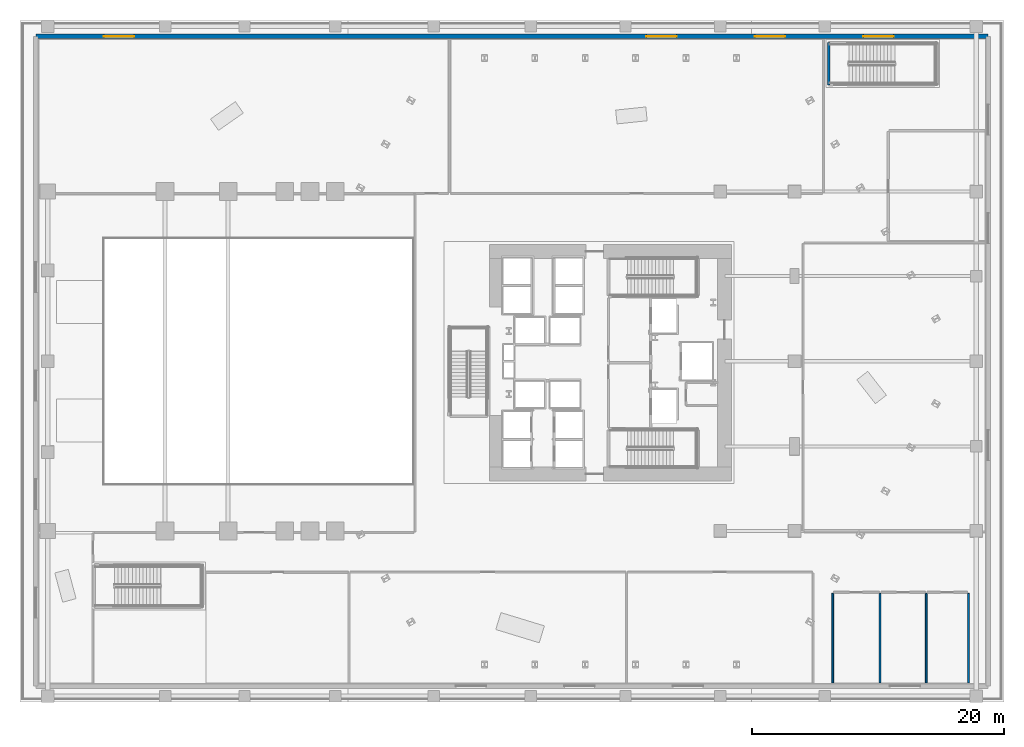
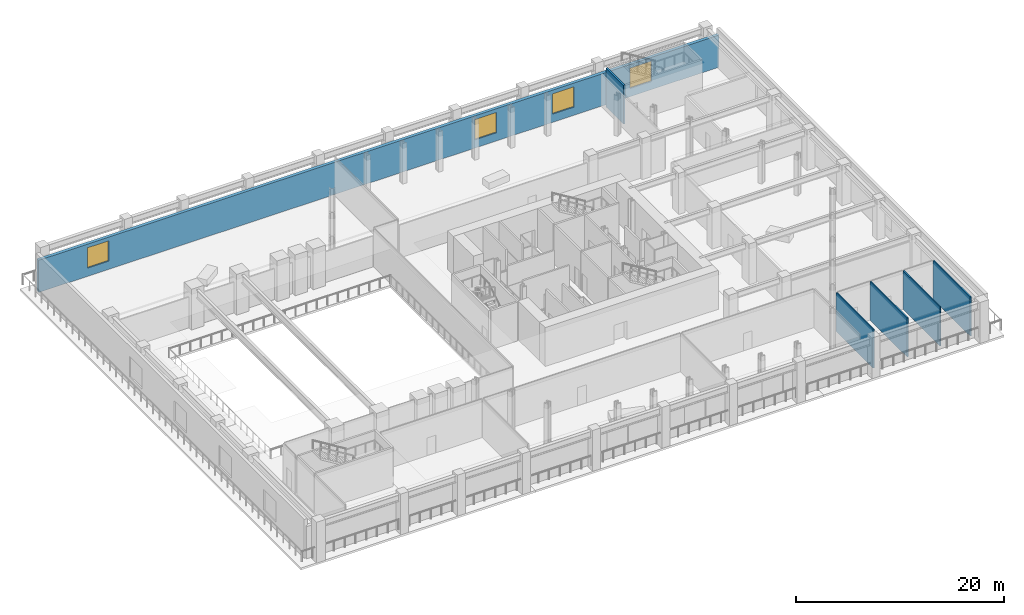
# One storey, part 6 of 19: 6 walls, 4 windows, 4 openings.
"""IFC4 building model written with IfcOpenShell, lengths in metres."""

import ifcopenshell
import ifcopenshell.guid

model = None  # the IFC model being written
_history = None  # IfcOwnerHistory: only IFC2X3 demands one
_inside = {}  # id of a spatial element -> (the spatial element, [elements in it])
_under = {}  # id of a project, library or spatial element -> (it, [spatial elements below it])
_declared = {}  # id of a project -> (the project, [libraries it declares])
_typed = {}  # id of a type object -> (the type object, [elements of that type])
_made_of = {}  # id of a material, layer set ... -> (it, [elements and type objects made of it])


def new_model(schema):
    """Start an empty IFC model of exactly this schema.

    Asked for "IFC4X3", IfcOpenShell would pick the latest addendum, in which some entities
    have other attributes; the version numbers below select the first issue.
    IFC2X3 requires an IfcOwnerHistory on every rooted entity: one is made here for all.
    """
    global model, _history
    if schema == "IFC4X3":
        model = ifcopenshell.file(schema_version=(4, 3, 0, 0))
    else:
        model = ifcopenshell.file(schema=schema)
    _inside.clear()
    _under.clear()
    _declared.clear()
    _typed.clear()
    _made_of.clear()
    _history = None
    if model.schema == "IFC2X3":
        org = make("IfcOrganization", Name="unknown")
        user = make(
            "IfcPersonAndOrganization",
            ThePerson=make("IfcPerson", FamilyName="unknown"),
            TheOrganization=org,
        )
        app = make(
            "IfcApplication",
            ApplicationDeveloper=org,
            Version="unknown",
            ApplicationFullName="unknown",
            ApplicationIdentifier="unknown",
        )
        _history = make(
            "IfcOwnerHistory",
            OwningUser=user,
            OwningApplication=app,
            ChangeAction="ADDED",
            CreationDate=0,
        )
    return model


def make(cls, **values):
    """One entity of the class cls with the attributes given. An attribute that is None is left unset."""
    return model.create_entity(
        cls, **{name: value for name, value in values.items() if value is not None}
    )


def rooted(cls, **values):
    """An entity with a GlobalId (a new one), such as an element, a storey or a relation."""
    return make(cls, GlobalId=ifcopenshell.guid.new(), OwnerHistory=_history, **values)


def si_unit(unit_type, name, prefix=None):
    """IfcSIUnit, for example si_unit("LENGTHUNIT", "METRE", prefix="MILLI")."""
    return make("IfcSIUnit", UnitType=unit_type, Prefix=prefix, Name=name)


def assignment(units):
    """IfcUnitAssignment: the units of a project."""
    return None if units is None else make("IfcUnitAssignment", Units=units)


def point(xyz):
    """IfcCartesianPoint."""
    return None if xyz is None else make("IfcCartesianPoint", Coordinates=xyz)


def direction(xyz):
    """IfcDirection."""
    return None if xyz is None else make("IfcDirection", DirectionRatios=xyz)


def frame(location, z_axis=None, x_axis=None):
    """IfcAxis2Placement3D, a coordinate frame: its origin and axes. An axis left out is left unset."""
    return make(
        "IfcAxis2Placement3D",
        Location=point(location),
        Axis=direction(z_axis),
        RefDirection=direction(x_axis),
    )


def frame_2d(location, x_axis=None):
    """IfcAxis2Placement2D, a coordinate frame in the plane: its origin and x axis."""
    return make(
        "IfcAxis2Placement2D", Location=point(location), RefDirection=direction(x_axis)
    )


def origin():
    """The frame at (0, 0, 0) with its axes left unset."""
    return frame((0.0, 0.0, 0.0))


def place(relative_to, where):
    """IfcLocalPlacement: puts the frame where relative to a parent placement (None: the world)."""
    return make(
        "IfcLocalPlacement", PlacementRelTo=relative_to, RelativePlacement=where
    )


def context(
    kind, dimensions, precision=None, world=None, true_north=None, identifier=None
):
    """IfcGeometricRepresentationContext, for example the 3D "Model" context."""
    return make(
        "IfcGeometricRepresentationContext",
        ContextIdentifier=identifier,
        ContextType=kind,
        CoordinateSpaceDimension=dimensions,
        Precision=precision,
        WorldCoordinateSystem=world,
        TrueNorth=true_north,
    )


def subcontext(parent, identifier, kind, view, scale=None):
    """IfcGeometricRepresentationSubContext, for example "Body" below "Model"."""
    return make(
        "IfcGeometricRepresentationSubContext",
        ContextIdentifier=identifier,
        ContextType=kind,
        ParentContext=parent,
        TargetScale=scale,
        TargetView=view,
    )


def project(units=None, contexts=None):
    """IfcProject with its units and contexts."""
    return rooted(
        "IfcProject",
        Name="project",
        RepresentationContexts=contexts,
        UnitsInContext=assignment(units),
    )


def spatial(cls, under=None, at=None, **own):
    """A site, building, storey or space (cls), placed at a placement, below another one or the project."""
    s = rooted(cls, ObjectPlacement=at, **own)
    if under is not None:
        _under.setdefault(under.id(), (under, []))[1].append(s)
    return s


def profile(cls, at=None, kind="AREA", **sizes):
    """A parametric profile (cls). Its sizes go by their IFC names, for example OverallWidth=200.0."""
    return make(cls, ProfileType=kind, Position=at, **sizes)


def rectangle(**sizes):
    """IfcRectangleProfileDef."""
    return profile("IfcRectangleProfileDef", **sizes)


def extrude(swept, where, along, depth):
    """IfcExtrudedAreaSolid: the profile swept, set in the frame where, extruded along a direction by depth."""
    return make(
        "IfcExtrudedAreaSolid",
        SweptArea=swept,
        Position=where,
        ExtrudedDirection=direction(along),
        Depth=depth,
    )


def shape(context_of_items, identifier, shape_type, items):
    """IfcShapeRepresentation: the items that make up one representation, for example the "Body"."""
    return make(
        "IfcShapeRepresentation",
        ContextOfItems=context_of_items,
        RepresentationIdentifier=identifier,
        RepresentationType=shape_type,
        Items=items,
    )


def material(Name=None, Category=None):
    """IfcMaterial."""
    return make("IfcMaterial", Name=Name, Category=Category)


def layer(
    of_material, thickness, ventilated=None, Name=None, Category=None, Priority=None
):
    """IfcMaterialLayer: one layer of a wall or slab, of a material (None: an air gap)."""
    return make(
        "IfcMaterialLayer",
        Material=of_material,
        LayerThickness=thickness,
        IsVentilated=ventilated,
        Name=Name,
        Category=Category,
        Priority=Priority,
    )


def layer_set(layers, Name=None):
    """IfcMaterialLayerSet."""
    return make("IfcMaterialLayerSet", MaterialLayers=layers, LayerSetName=Name)


def made_of(thing, what):
    """Note that an element or type object is made of a material, layer set ...; save() writes the relation."""
    if what is not None:
        _made_of.setdefault(what.id(), (what, []))[1].append(thing)
    return thing


def type_object(cls, material=None, **own):
    """A type object (cls), such as IfcWallType, which elements share."""
    return made_of(rooted(cls, **own), material)


def element(
    cls,
    number,
    at=None,
    inside=None,
    cuts=None,
    type_object=None,
    material=None,
    context=None,
    identifier="Body",
    shape_type=None,
    held_by="IfcProductDefinitionShape",
    body=None,
    shapes=None,
    **own,
):
    """One element of the class cls, such as IfcWall. Its Tag is "e" and its number.

    at: its placement. inside: the storey or other place that contains it. cuts: it is an
    opening in that element (IfcRelVoidsElement). A single representation is given by context,
    identifier, shape_type and body (its items); several are given by shapes. held_by: the class
    of the entity that holds the representations. save() writes the other relations.
    """
    e = rooted(cls, Tag="e%d" % number, ObjectPlacement=at, **own)
    if body is not None:
        shapes = [shape(context, identifier, shape_type, body)]
    if shapes is not None:
        e.Representation = make(held_by, Representations=shapes)
    if inside is not None:
        _inside.setdefault(inside.id(), (inside, []))[1].append(e)
    if cuts is not None:
        rooted(
            "IfcRelVoidsElement", RelatingBuildingElement=cuts, RelatedOpeningElement=e
        )
    if type_object is not None:
        _typed.setdefault(type_object.id(), (type_object, []))[1].append(e)
    return made_of(e, material)


def fill(opening, filler):
    """IfcRelFillsElement: the door or window that sits in an opening."""
    return rooted(
        "IfcRelFillsElement",
        RelatingOpeningElement=opening,
        RelatedBuildingElement=filler,
    )


def aggregate(whole, parts):
    """IfcRelAggregates: a whole, such as a stair, and the parts it consists of."""
    return rooted("IfcRelAggregates", RelatingObject=whole, RelatedObjects=parts)


def save(model, path):
    """Write the relations noted so far, then the file.

    IfcRelAggregates (storeys below a building ...), IfcRelContainedInSpatialStructure (elements
    in a storey), IfcRelDefinesByType, IfcRelAssociatesMaterial and IfcRelDeclares: one each for
    every whole, place, type object, material and project.
    """
    for whole, parts in _under.values():
        aggregate(whole, parts)
    for where, things in _inside.values():
        rooted(
            "IfcRelContainedInSpatialStructure",
            RelatedElements=things,
            RelatingStructure=where,
        )
    for kind, things in _typed.values():
        rooted("IfcRelDefinesByType", RelatedObjects=things, RelatingType=kind)
    for what, things in _made_of.values():
        rooted("IfcRelAssociatesMaterial", RelatedObjects=things, RelatingMaterial=what)
    for by, libraries in _declared.values():
        rooted("IfcRelDeclares", RelatingContext=by, RelatedDefinitions=libraries)
    model.write(path)


model = new_model("IFC4")

# Units and contexts
model_context = context("Model", 3, precision=1e-05, world=origin(), true_north=direction((0.0, 1.0)))
body_context = subcontext(model_context, "Body", "Model", "MODEL_VIEW")
ifc_project = project(units=[si_unit("LENGTHUNIT", "METRE"), si_unit("AREAUNIT", "SQUARE_METRE"), si_unit("VOLUMEUNIT", "CUBIC_METRE"), si_unit("PLANEANGLEUNIT", "RADIAN"), si_unit("MASSUNIT", "GRAM", prefix="KILO")], contexts=[model_context])

# Site, building, storey
site_placement = place(None, origin())
site = spatial("IfcSite", under=ifc_project, at=site_placement, CompositionType="ELEMENT")
building_placement = place(site_placement, origin())
building = spatial("IfcBuilding", under=site, at=building_placement, Name="Valkerne Bourse Tower", CompositionType="ELEMENT")
storey_placement = place(building_placement, frame((0.0, 0.0, 5.39990234375)))
storey = spatial("IfcBuildingStorey", under=building, at=storey_placement, Name="L01", CompositionType="ELEMENT", Elevation=5.39990234375)

# Wall, openings, windows
ifc_material_1 = material(Name="Indiana Limestone Cladding", Category="masonry")
ifc_layer_1 = layer(ifc_material_1, 0.35009765625)
ifc_layer_set_1 = layer_set([ifc_layer_1], Name="Indiana Limestone Cladding")
wall_type_1 = type_object("IfcWallType", Name="W-EXT-LIMESTONE-350", PredefinedType="STANDARD", material=ifc_layer_set_1)
wall_1_placement = place(storey_placement, frame((1.25, 52.75, 0.0), z_axis=(0.0, 0.0, 1.0), x_axis=(1.0, 0.0, 0.0)))
wall_1 = element("IfcWall", 1, at=wall_1_placement, inside=storey, type_object=wall_type_1, Name="L01 Podium Exterior Wall NORTH", PredefinedType="STANDARD", context=body_context, shape_type="SweptSolid", body=[
    extrude(rectangle(XDim=75.5, YDim=0.35009765625, at=frame_2d((37.75, 0.0))), origin(), (0.0, 0.0, 1.0), 3.769287109375),
])
opening_1_placement = place(wall_1_placement, frame((5.39990234375, 0.0, 0.949951171875)))
opening_1 = element("IfcOpeningElement", 2, at=opening_1_placement, cuts=wall_1, Name="Opening WN-02", PredefinedType="OPENING", context=body_context, shape_type="SweptSolid", body=[
    extrude(rectangle(XDim=2.39990234375, YDim=2.39990234375, at=frame_2d((1.199951171875, 1.199951171875))), frame((0.0, 0.18505859375, 0.0), z_axis=(0.0, -1.0, 0.0), x_axis=(1.0, 0.0, 0.0)), (0.0, 0.0, 1.0), 0.3701171875),
])
opening_2_placement = place(wall_1_placement, frame((48.39990234375, 0.0, 0.949951171875)))
opening_2 = element("IfcOpeningElement", 3, at=opening_2_placement, cuts=wall_1, Name="Opening WN-02", PredefinedType="OPENING", context=body_context, shape_type="SweptSolid", body=[
    extrude(rectangle(XDim=2.39990234375, YDim=2.39990234375, at=frame_2d((1.199951171875, 1.199951171875))), frame((0.0, 0.18505859375, 0.0), z_axis=(0.0, -1.0, 0.0), x_axis=(1.0, 0.0, 0.0)), (0.0, 0.0, 1.0), 0.3701171875),
])
opening_3_placement = place(wall_1_placement, frame((57.0, 0.0, 0.949951171875)))
opening_3 = element("IfcOpeningElement", 4, at=opening_3_placement, cuts=wall_1, Name="Opening WN-02", PredefinedType="OPENING", context=body_context, shape_type="SweptSolid", body=[
    extrude(rectangle(XDim=2.39990234375, YDim=2.39990234375, at=frame_2d((1.199951171875, 1.199951171875))), frame((0.0, 0.18505859375, 0.0), z_axis=(0.0, -1.0, 0.0), x_axis=(1.0, 0.0, 0.0)), (0.0, 0.0, 1.0), 0.3701171875),
])
opening_4_placement = place(wall_1_placement, frame((65.60009765625, 0.0, 0.949951171875)))
opening_4 = element("IfcOpeningElement", 5, at=opening_4_placement, cuts=wall_1, Name="Opening WN-02", PredefinedType="OPENING", context=body_context, shape_type="SweptSolid", body=[
    extrude(rectangle(XDim=2.39990234375, YDim=2.39990234375, at=frame_2d((1.199951171875, 1.199951171875))), frame((0.0, 0.18505859375, 0.0), z_axis=(0.0, -1.0, 0.0), x_axis=(1.0, 0.0, 0.0)), (0.0, 0.0, 1.0), 0.3701171875),
])
ifc_material_2 = material(Name="Glass IGU Low-E Double Glazed", Category="glass")
window_type = type_object("IfcWindowType", Name="WIN-POD-2400X2400", PartitioningType="SINGLE_PANEL", PredefinedType="WINDOW", material=ifc_material_2)
window_1_placement = place(opening_1_placement, origin())
window_1 = element("IfcWindow", 6, at=window_1_placement, inside=storey, type_object=window_type, Name="L01 Podium Low-E Window 05", OverallHeight=2.39990234375, OverallWidth=2.39990234375, PartitioningType="SINGLE_PANEL", PredefinedType="WINDOW", context=body_context, shape_type="SweptSolid", body=[
    extrude(rectangle(XDim=2.39990234375, YDim=2.39990234375, at=frame_2d((1.199951171875, 1.199951171875))), frame((0.0, 0.030029296875, 0.0), z_axis=(0.0, -1.0, 0.0), x_axis=(1.0, 0.0, 0.0)), (0.0, 0.0, 1.0), 0.06005859375),
])
fill(opening_1, window_1)
window_2_placement = place(opening_2_placement, origin())
window_2 = element("IfcWindow", 7, at=window_2_placement, inside=storey, type_object=window_type, Name="L01 Podium Low-E Window 06", OverallHeight=2.39990234375, OverallWidth=2.39990234375, PartitioningType="SINGLE_PANEL", PredefinedType="WINDOW", context=body_context, shape_type="SweptSolid", body=[
    extrude(rectangle(XDim=2.39990234375, YDim=2.39990234375, at=frame_2d((1.199951171875, 1.199951171875))), frame((0.0, 0.030029296875, 0.0), z_axis=(0.0, -1.0, 0.0), x_axis=(1.0, 0.0, 0.0)), (0.0, 0.0, 1.0), 0.06005859375),
])
fill(opening_2, window_2)
window_3_placement = place(opening_3_placement, origin())
window_3 = element("IfcWindow", 8, at=window_3_placement, inside=storey, type_object=window_type, Name="L01 Podium Low-E Window 07", OverallHeight=2.39990234375, OverallWidth=2.39990234375, PartitioningType="SINGLE_PANEL", PredefinedType="WINDOW", context=body_context, shape_type="SweptSolid", body=[
    extrude(rectangle(XDim=2.39990234375, YDim=2.39990234375, at=frame_2d((1.199951171875, 1.199951171875))), frame((0.0, 0.030029296875, 0.0), z_axis=(0.0, -1.0, 0.0), x_axis=(1.0, 0.0, 0.0)), (0.0, 0.0, 1.0), 0.06005859375),
])
fill(opening_3, window_3)
window_4_placement = place(opening_4_placement, origin())
window_4 = element("IfcWindow", 9, at=window_4_placement, inside=storey, type_object=window_type, Name="L01 Podium Low-E Window 08", OverallHeight=2.39990234375, OverallWidth=2.39990234375, PartitioningType="SINGLE_PANEL", PredefinedType="WINDOW", context=body_context, shape_type="SweptSolid", body=[
    extrude(rectangle(XDim=2.39990234375, YDim=2.39990234375, at=frame_2d((1.199951171875, 1.199951171875))), frame((0.0, 0.030029296875, 0.0), z_axis=(0.0, -1.0, 0.0), x_axis=(1.0, 0.0, 0.0)), (0.0, 0.0, 1.0), 0.06005859375),
])
fill(opening_4, window_4)

# Walls
ifc_material_3 = material(Name="Concrete C40/50", Category="concrete")
ifc_layer_2 = layer(ifc_material_3, 0.199951171875)
ifc_layer_set_2 = layer_set([ifc_layer_2], Name="Concrete C40/50")
wall_type_2 = type_object("IfcWallType", Name="W-SHF-200", PredefinedType="SHEAR", material=ifc_layer_set_2)
wall_2_placement = place(storey_placement, frame((64.10009765625, 48.89990234375, 0.0), z_axis=(0.0, 0.0, 1.0), x_axis=(0.0, 1.0, 0.0)))
element("IfcWall", 10, at=wall_2_placement, inside=storey, type_object=wall_type_2, Name="L01 Exit Stair ST-P2 Structural West Wall", PredefinedType="SHEAR", context=body_context, shape_type="SweptSolid", body=[
    extrude(rectangle(XDim=3.35009765625, YDim=0.199951171875, at=frame_2d((1.675048828125, 0.0))), origin(), (0.0, 0.0, 1.0), 4.56005859375),
])
ifc_material_4 = material(Name="Moisture-Resistant Gypsum Partition", Category="gypsum")
ifc_layer_3 = layer(ifc_material_4, 0.139892578125)
ifc_layer_set_3 = layer_set([ifc_layer_3], Name="Moisture-Resistant Gypsum Partition")
wall_type_3 = type_object("IfcWallType", Name="W-WET-140", PredefinedType="PARTITIONING", material=ifc_layer_set_3)
for number, where, z_axis, x_axis, name in (
    (11, (64.419921875, 1.5, 0.0), (0.0, 0.0, 1.0), (0.0, 1.0, 0.0), "L01 L01 Men Bathroom WC Wall"),
    (12, (68.179931640625, 1.5, 0.0), (0.0, 0.0, 1.0), (0.0, 1.0, 0.0), "L01 L01 Men Bathroom WC Wall"),
    (13, (71.830078125, 1.5, 0.0), (0.0, 0.0, 1.0), (0.0, 1.0, 0.0), "L01 L01 Women Bathroom WC Wall"),
    (14, (75.179931640625, 1.5, 0.0), (0.0, 0.0, 1.0), (0.0, 1.0, 0.0), "L01 L01 Accessible Bathroom WC Wall"),
):
    element("IfcWall", number, at=place(storey_placement, frame(where, z_axis=z_axis, x_axis=x_axis)), inside=storey, type_object=wall_type_3, Name=name, PredefinedType="PARTITIONING", context=body_context, shape_type="SweptSolid", body=[
        extrude(rectangle(XDim=7.10009765625, YDim=0.139892578125, at=frame_2d((3.550048828125, 0.0))), origin(), (0.0, 0.0, 1.0), 4.56005859375),
    ])

save(model, "model.ifc")
